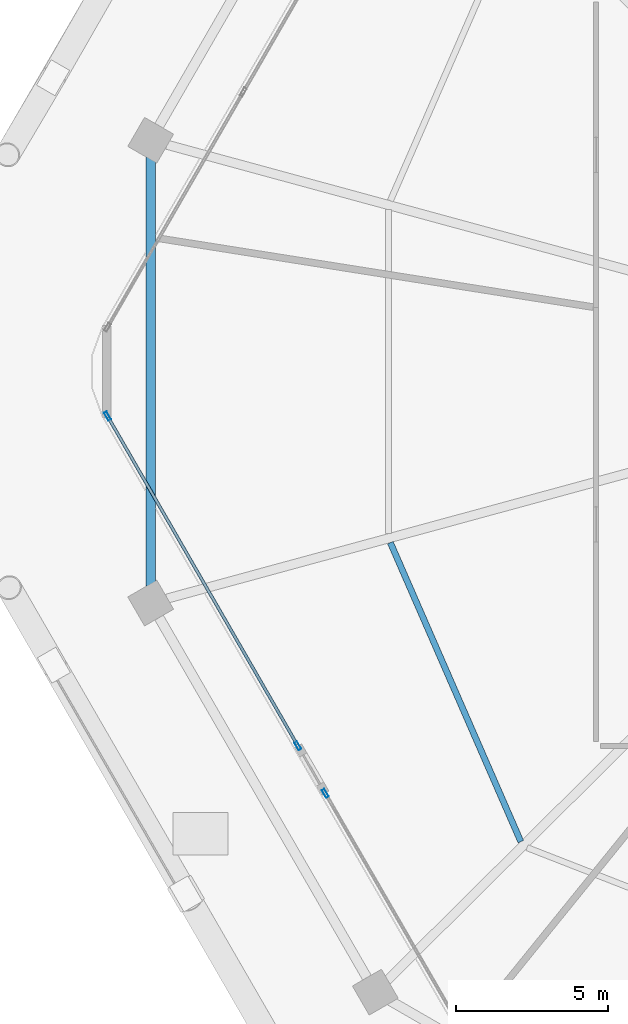
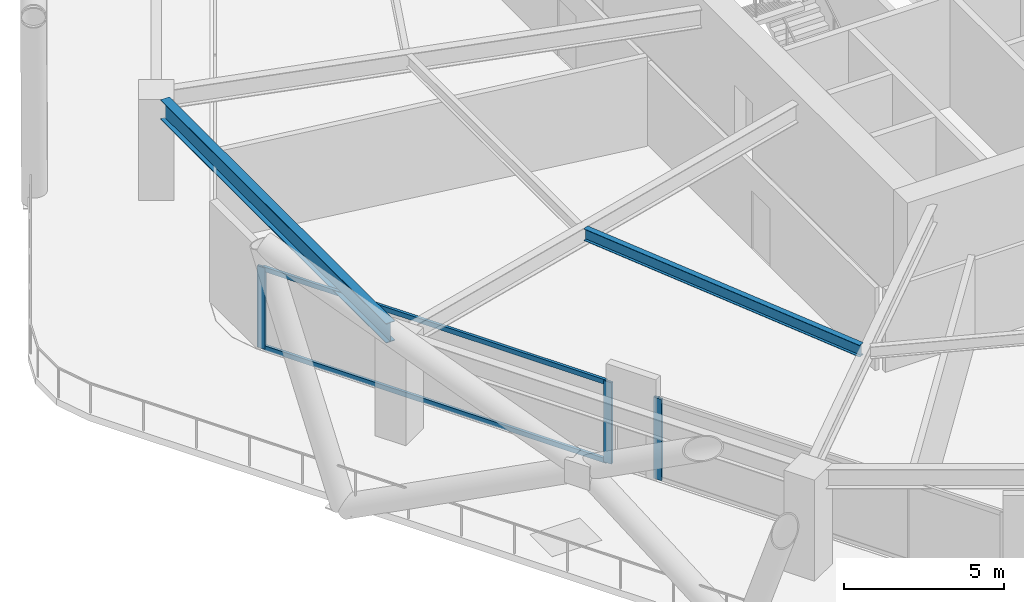
# One storey, part 6 of 28: 5 members, 2 beams, 2 elements without a shape of their own.
"""IFC4 building model written with IfcOpenShell, lengths in metres."""

from ifc_helpers import new_model, si_unit, direction, frame, origin, origin_2d, place, context, subcontext, project, spatial, hollow_rectangle, i_section, extrude, material, material_profile, profile_set, type_object, element, aggregate, save


model = new_model("IFC4")

# Units and contexts
model_context = context("Model", 3, precision=1e-05, world=origin(), true_north=direction((0.0, 1.0)))
body_context = subcontext(model_context, "Body", "Model", "MODEL_VIEW")
ifc_project = project(units=[si_unit("LENGTHUNIT", "METRE"), si_unit("AREAUNIT", "SQUARE_METRE"), si_unit("VOLUMEUNIT", "CUBIC_METRE"), si_unit("PLANEANGLEUNIT", "RADIAN"), si_unit("MASSUNIT", "GRAM", prefix="KILO")], contexts=[model_context])

# Site, building, storey
site_placement = place(None, origin())
site = spatial("IfcSite", under=ifc_project, at=site_placement, CompositionType="ELEMENT")
building_placement = place(site_placement, origin())
building = spatial("IfcBuilding", under=site, at=building_placement, Name="Zuhravey Tower", CompositionType="ELEMENT")
storey_placement = place(building_placement, frame((0.0, 0.0, 83.39990234375)))
storey = spatial("IfcBuildingStorey", under=building, at=storey_placement, Name="L20", CompositionType="ELEMENT", Elevation=83.39990234375)

# Curtain wall, member
ifc_material_1 = material(Name="Thermally broken anodised aluminium", Category="aluminium")
curtain_wall_type = type_object("IfcCurtainWallType", Name="Sky-Playground Recessed Curtain Wall CW2", PredefinedType="NOTDEFINED", material=ifc_material_1)
curtain_wall_1_placement = place(storey_placement, origin())
curtain_wall_1 = element("IfcCurtainWall", 1, at=curtain_wall_1_placement, inside=storey, type_object=curtain_wall_type, Name="L20 CW2 CW-L20-F4-1", PredefinedType="NOTDEFINED")
ifc_material_2 = material(Name="Anodised aluminium", Category="aluminium")
ifc_material_profile_1 = material_profile(ifc_material_2, hollow_rectangle(XDim=0.10009765625, YDim=0.2900390625, WallThickness=0.006103515625, at=origin_2d()), Name="ALU-RHS-100x290x6")
ifc_profile_set_1 = profile_set([ifc_material_profile_1], Name="Anodised aluminium")
member_type_1 = type_object("IfcMemberType", Name="Heavy Tall-Storey Mullion 100x220", PredefinedType="MULLION", material=ifc_profile_set_1)
member_1_placement = place(storey_placement, frame((13.839599609375, 18.166259765625, 0.0), z_axis=(0.0, 0.0, 1.0), x_axis=(-0.866027160758, -0.499996956819, 0.0)))
member_1 = element("IfcMember", 2, at=member_1_placement, type_object=member_type_1, Name="CW2 mullion 2", PredefinedType="MULLION", context=body_context, shape_type="SweptSolid", body=[
    extrude(hollow_rectangle(XDim=0.10009765625, YDim=0.2900390625, WallThickness=0.006103515625, at=origin_2d()), origin(), (0.0, 0.0, 1.0), 3.10009765625),
])
aggregate(curtain_wall_1, [member_1])

# Curtain wall, members
curtain_wall_2_placement = place(storey_placement, origin())
curtain_wall_2 = element("IfcCurtainWall", 3, at=curtain_wall_2_placement, inside=storey, type_object=curtain_wall_type, Name="L20 CW2 CW-L20-F4-2", PredefinedType="NOTDEFINED")
member_2_placement = place(storey_placement, frame((12.939453125, 19.72509765625, 0.0), z_axis=(0.0, 0.0, 1.0), x_axis=(-0.866025707437, -0.499999474059, 0.0)))
member_2 = element("IfcMember", 4, at=member_2_placement, type_object=member_type_1, Name="CW2 mullion 1", PredefinedType="MULLION", context=body_context, shape_type="SweptSolid", body=[
    extrude(hollow_rectangle(XDim=0.10009765625, YDim=0.2900390625, WallThickness=0.006103515625, at=origin_2d()), origin(), (0.0, 0.0, 1.0), 3.10009765625),
])
member_3_placement = place(storey_placement, frame((6.693115234375, 30.544189453125, 0.0), z_axis=(0.0, 0.0, 1.0), x_axis=(-0.866025707437, -0.499999474059, 0.0)))
member_3 = element("IfcMember", 5, at=member_3_placement, type_object=member_type_1, Name="CW2 mullion 2", PredefinedType="MULLION", context=body_context, shape_type="SweptSolid", body=[
    extrude(hollow_rectangle(XDim=0.10009765625, YDim=0.2900390625, WallThickness=0.006103515625, at=origin_2d()), origin(), (0.0, 0.0, 1.0), 3.10009765625),
])

# Beams
ifc_material_3 = material(Name="Steel SM355", Category="steel")
ifc_material_profile_2 = material_profile(ifc_material_3, i_section(OverallWidth=0.320068359375, OverallDepth=0.75, WebThickness=0.013916015625, FlangeThickness=0.02490234375, at=origin_2d()), Name="H-750x320x14x25")
ifc_profile_set_2 = profile_set([ifc_material_profile_2], Name="Steel SM355")
beam_type_1 = type_object("IfcBeamType", Name="Perimeter Ring Beam H750x320", PredefinedType="BEAM", material=ifc_profile_set_2)
beam_1_placement = place(storey_placement, frame((8.11083984375, 39.03857421875, 3.47509765625), z_axis=(0.0, -1.0, 0.0), x_axis=(1.0, 0.0, 0.0)))
element("IfcBeam", 6, at=beam_1_placement, inside=storey, type_object=beam_type_1, Name="L20 PB1 BM-L20-PB-06", PredefinedType="BEAM", context=body_context, shape_type="SweptSolid", body=[
    extrude(i_section(OverallWidth=0.320068359375, OverallDepth=0.75, WebThickness=0.013916015625, FlangeThickness=0.02490234375, at=origin_2d()), origin(), (0.0, 0.0, 1.0), 14.0771484375),
])
ifc_material_profile_3 = material_profile(ifc_material_3, i_section(OverallWidth=0.199951171875, OverallDepth=0.449951171875, WebThickness=0.009033203125, FlangeThickness=0.013916015625, at=origin_2d()), Name="H-450x200x9x14")
ifc_profile_set_3 = profile_set([ifc_material_profile_3], Name="Steel SM355")
beam_type_2 = type_object("IfcBeamType", Name="Secondary Floor Joist H450x200", PredefinedType="JOIST", material=ifc_profile_set_3)
beam_2_placement = place(storey_placement, frame((15.974609375, 26.39111328125, 3.625), z_axis=(0.399923551578, -0.916548500022, 0.0), x_axis=(0.916548500022, 0.399923551578, 0.0)))
element("IfcBeam", 7, at=beam_2_placement, inside=storey, type_object=beam_type_2, Name="L20 SJ1 BM-L20-SJ-07-1", PredefinedType="JOIST", context=body_context, shape_type="SweptSolid", body=[
    extrude(i_section(OverallWidth=0.199951171875, OverallDepth=0.449951171875, WebThickness=0.009033203125, FlangeThickness=0.013916015625, at=origin_2d()), origin(), (0.0, 0.0, 1.0), 10.70263671875),
])

# Member
ifc_material_profile_4 = material_profile(ifc_material_2, hollow_rectangle(XDim=0.10009765625, YDim=0.179931640625, WallThickness=0.006103515625, at=origin_2d()), Name="ALU-RHS-100x180x6")
ifc_profile_set_4 = profile_set([ifc_material_profile_4], Name="Anodised aluminium")
member_type_2 = type_object("IfcMemberType", Name="Tall-Storey Transom 100x180", PredefinedType="USERDEFINED", material=ifc_profile_set_4)
member_4_placement = place(storey_placement, frame((12.91455078125, 19.768310546875, 0.050048828125), z_axis=(-0.500001548645, 0.866024509672, 0.0), x_axis=(-0.866024509672, -0.500001548645, 0.0)))
member_4 = element("IfcMember", 8, at=member_4_placement, type_object=member_type_2, Name="CW2 transom 1.1", ObjectType="TRANSOM", PredefinedType="USERDEFINED", context=body_context, shape_type="SweptSolid", body=[
    extrude(hollow_rectangle(XDim=0.10009765625, YDim=0.179931640625, WallThickness=0.006103515625, at=origin_2d()), origin(), (0.0, 0.0, 1.0), 12.39306640625),
])

member_5_placement = place(storey_placement, frame((12.91455078125, 19.768310546875, 3.050048828125), z_axis=(-0.500001548645, 0.866024509672, 0.0), x_axis=(-0.866024509672, -0.500001548645, 0.0)))
member_5 = element("IfcMember", 9, at=member_5_placement, type_object=member_type_2, Name="CW2 transom 1.2", ObjectType="TRANSOM", PredefinedType="USERDEFINED", context=body_context, shape_type="SweptSolid", body=[
    extrude(hollow_rectangle(XDim=0.10009765625, YDim=0.179931640625, WallThickness=0.006103515625, at=origin_2d()), origin(), (0.0, 0.0, 1.0), 12.39306640625),
])

aggregate(curtain_wall_2, [member_2, member_3, member_4, member_5])

save(model, "model.ifc")
